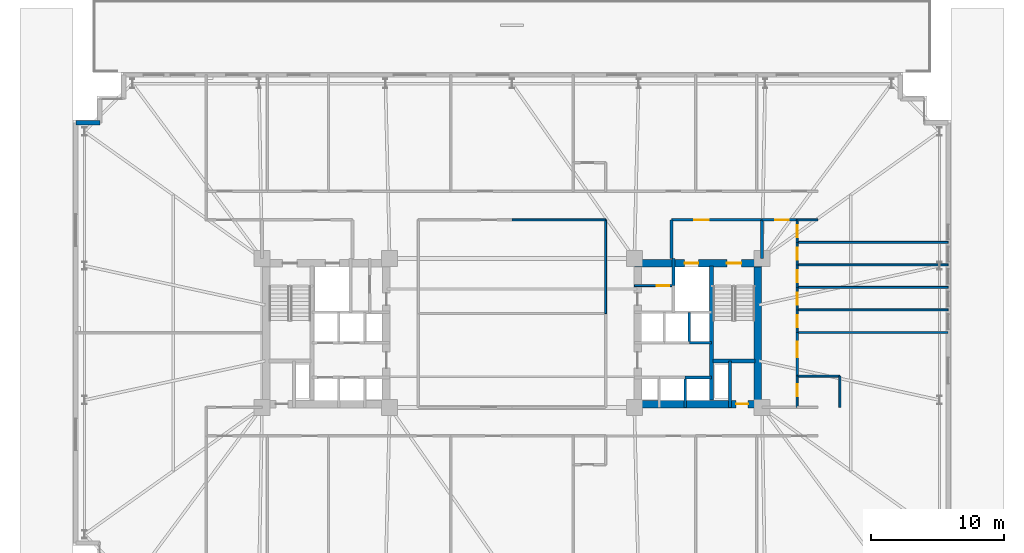
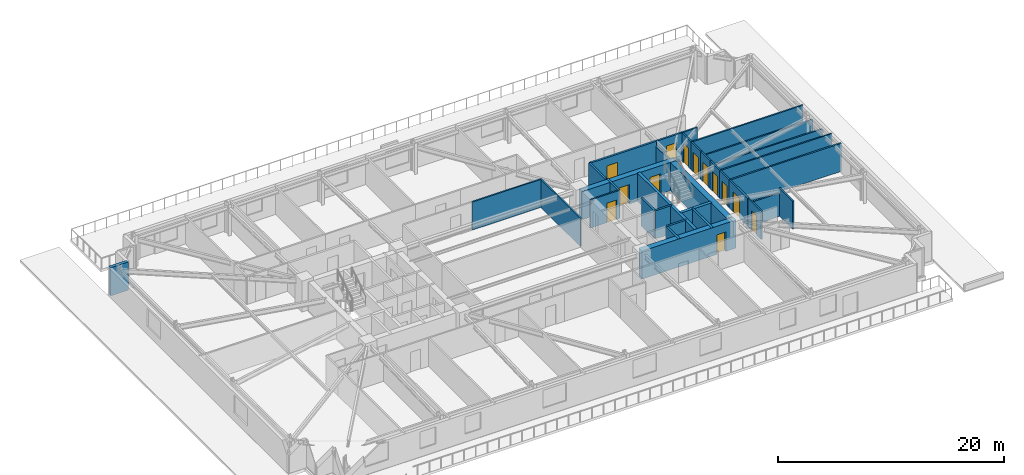
# One storey, part 14 of 21: 34 walls, 13 doors, 13 openings.
"""IFC4 building model written with IfcOpenShell, lengths in metres."""

from ifc_helpers import new_model, si_unit, direction, frame, frame_2d, origin, place, context, subcontext, project, spatial, rectangle, extrude, material, layer, layer_set, type_object, element, fill, save


model = new_model("IFC4")

# Units and contexts
model_context = context("Model", 3, precision=1e-05, world=origin(), true_north=direction((0.0, 1.0)))
body_context = subcontext(model_context, "Body", "Model", "MODEL_VIEW")
ifc_project = project(units=[si_unit("LENGTHUNIT", "METRE"), si_unit("AREAUNIT", "SQUARE_METRE"), si_unit("VOLUMEUNIT", "CUBIC_METRE"), si_unit("PLANEANGLEUNIT", "RADIAN"), si_unit("MASSUNIT", "GRAM", prefix="KILO")], contexts=[model_context])

# Site, building, storey
site_placement = place(None, origin())
site = spatial("IfcSite", under=ifc_project, at=site_placement, CompositionType="ELEMENT")
building_placement = place(site_placement, origin())
building = spatial("IfcBuilding", under=site, at=building_placement, Name="Qobustan Lattice House", CompositionType="ELEMENT")
storey_placement = place(building_placement, frame((0.0, 0.0, 27.0)))
storey = spatial("IfcBuildingStorey", under=building, at=storey_placement, Name="L06", CompositionType="ELEMENT", Elevation=27.0)

# Wall, openings, doors
ifc_material_1 = material(Name="Concrete C60/75", Category="concrete")
ifc_layer_1 = layer(ifc_material_1, 0.56005859375)
ifc_layer_set_1 = layer_set([ifc_layer_1], Name="Concrete C60/75")
wall_type_1 = type_object("IfcWallType", Name="WAL-CORE-600", PredefinedType="SHEAR", material=ifc_layer_set_1)
wall_1_placement = place(storey_placement, frame((9.199951171875, 5.239990234375, 0.0), z_axis=(0.0, 0.0, 1.0), x_axis=(1.0, 0.0, 0.0)))
wall_1 = element("IfcWall", 1, at=wall_1_placement, inside=storey, type_object=wall_type_1, Name="L06 split-core shear wall CE-N", PredefinedType="SHEAR", context=body_context, shape_type="SweptSolid", body=[
    extrude(rectangle(XDim=9.60009765625, YDim=0.56005859375, at=frame_2d((4.800048828125, 0.0))), origin(), (0.0, 0.0, 1.0), 3.034912109375),
])
opening_1_placement = place(wall_1_placement, frame((6.949951171875, 0.0, 0.0)))
opening_1 = element("IfcOpeningElement", 2, at=opening_1_placement, cuts=wall_1, Name="Opening SD-01", PredefinedType="OPENING", context=body_context, shape_type="SweptSolid", body=[
    extrude(rectangle(XDim=1.10009765625, YDim=2.14990234375, at=frame_2d((0.550048828125, 1.074951171875))), frame((0.0, 0.2900390625, 0.0), z_axis=(0.0, -1.0, 0.0), x_axis=(1.0, 0.0, 0.0)), (0.0, 0.0, 1.0), 0.580078125),
])
opening_2_placement = place(wall_1_placement, frame((3.77490234375, 0.0, 0.0)))
opening_2 = element("IfcOpeningElement", 3, at=opening_2_placement, cuts=wall_1, Name="Opening LD-01", PredefinedType="OPENING", context=body_context, shape_type="SweptSolid", body=[
    extrude(rectangle(XDim=1.050048828125, YDim=2.10009765625, at=frame_2d((0.52490234375, 1.050048828125))), frame((0.0, 0.2900390625, 0.0), z_axis=(0.0, -1.0, 0.0), x_axis=(1.0, 0.0, 0.0)), (0.0, 0.0, 1.0), 0.580078125),
])
ifc_material_2 = material(Name="Persian walnut timber and steel frame door", Category="steel")
door_type_1 = type_object("IfcDoorType", Name="DOR-LIFT-LD-1050x2100", OperationType="NOTDEFINED", PredefinedType="DOOR", material=ifc_material_2)
door_1_placement = place(opening_2_placement, origin())
door_1 = element("IfcDoor", 4, at=door_1_placement, inside=storey, type_object=door_type_1, Name="L06 firefighting lift FF-E landing door", OperationType="DOUBLE_DOOR_SLIDING", OverallHeight=2.10009765625, OverallWidth=1.050048828125, PredefinedType="DOOR", context=body_context, shape_type="SweptSolid", body=[
    extrude(rectangle(XDim=1.050048828125, YDim=2.10009765625, at=frame_2d((0.52490234375, 1.050048828125))), frame((0.0, 0.02490234375, 0.0), z_axis=(0.0, -1.0, 0.0), x_axis=(1.0, 0.0, 0.0)), (0.0, 0.0, 1.0), 0.050048828125),
])
fill(opening_2, door_1)
ifc_material_3 = material(Name="Persian walnut timber and steel frame door", Category="steel")
door_type_2 = type_object("IfcDoorType", Name="DOR-STAIR-FD-1100x2150", OperationType="NOTDEFINED", PredefinedType="DOOR", material=ifc_material_3)
door_2_placement = place(opening_1_placement, origin())
door_2 = element("IfcDoor", 5, at=door_2_placement, inside=storey, type_object=door_type_2, Name="L06 exit stair ST-E1 fire door", OperationType="SINGLE_SWING_LEFT", OverallHeight=2.14990234375, OverallWidth=1.10009765625, PredefinedType="DOOR", context=body_context, shape_type="SweptSolid", body=[
    extrude(rectangle(XDim=1.10009765625, YDim=2.14990234375, at=frame_2d((0.550048828125, 1.074951171875))), frame((0.0, 0.02490234375, 0.0), z_axis=(0.0, -1.0, 0.0), x_axis=(1.0, 0.0, 0.0)), (0.0, 0.0, 1.0), 0.050048828125),
])
fill(opening_1, door_2)

# Wall, opening, door
wall_2_placement = place(storey_placement, frame((9.199951171875, -5.35009765625, 0.0), z_axis=(0.0, 0.0, 1.0), x_axis=(1.0, 0.0, 0.0)))
wall_2 = element("IfcWall", 6, at=wall_2_placement, inside=storey, type_object=wall_type_1, Name="L06 split-core shear wall CE-S", PredefinedType="SHEAR", context=body_context, shape_type="SweptSolid", body=[
    extrude(rectangle(XDim=9.60009765625, YDim=0.56005859375, at=frame_2d((4.800048828125, 0.0))), origin(), (0.0, 0.0, 1.0), 3.034912109375),
])
opening_3_placement = place(wall_2_placement, frame((7.64990234375, 0.0, 0.0)))
opening_3 = element("IfcOpeningElement", 7, at=opening_3_placement, cuts=wall_2, Name="Opening RD-01", PredefinedType="OPENING", context=body_context, shape_type="SweptSolid", body=[
    extrude(rectangle(XDim=0.89990234375, YDim=2.10009765625, at=frame_2d((0.449951171875, 1.050048828125))), frame((0.0, 0.2900390625, 0.0), z_axis=(0.0, -1.0, 0.0), x_axis=(1.0, 0.0, 0.0)), (0.0, 0.0, 1.0), 0.580078125),
])
ifc_material_4 = material(Name="Persian walnut timber and steel frame door", Category="steel")
door_type_3 = type_object("IfcDoorType", Name="DOR-RISER-FD-900x2100", OperationType="NOTDEFINED", PredefinedType="DOOR", material=ifc_material_4)
door_3_placement = place(opening_3_placement, origin())
door_3 = element("IfcDoor", 8, at=door_3_placement, inside=storey, type_object=door_type_3, Name="L06 core service riser access door E", OperationType="SINGLE_SWING_LEFT", OverallHeight=2.10009765625, OverallWidth=0.89990234375, PredefinedType="DOOR", context=body_context, shape_type="SweptSolid", body=[
    extrude(rectangle(XDim=0.89990234375, YDim=2.10009765625, at=frame_2d((0.449951171875, 1.050048828125))), frame((0.0, 0.02490234375, 0.0), z_axis=(0.0, -1.0, 0.0), x_axis=(1.0, 0.0, 0.0)), (0.0, 0.0, 1.0), 0.050048828125),
])
fill(opening_3, door_3)

# Walls
wall_3_placement = place(storey_placement, frame((18.489990234375, -5.050048828125, 0.0), z_axis=(0.0, 0.0, 1.0), x_axis=(0.0, 1.0, 0.0)))
element("IfcWall", 9, at=wall_3_placement, inside=storey, type_object=wall_type_1, Name="L06 split-core shear wall CE-E", PredefinedType="SHEAR", context=body_context, shape_type="SweptSolid", body=[
    extrude(rectangle(XDim=10.10009765625, YDim=0.56005859375, at=frame_2d((5.050048828125, 0.0))), origin(), (0.0, 0.0, 1.0), 3.034912109375),
])
ifc_material_5 = material(Name="Concrete C50/60", Category="concrete")
ifc_layer_2 = layer(ifc_material_5, 0.280029296875)
ifc_layer_set_2 = layer_set([ifc_layer_2], Name="Concrete C50/60")
wall_type_2 = type_object("IfcWallType", Name="WAL-CORE-SPINE-280", PredefinedType="SHEAR", material=ifc_layer_set_2)
wall_4_placement = place(storey_placement, frame((15.02001953125, -5.050048828125, 0.0), z_axis=(0.0, 0.0, 1.0), x_axis=(0.0, 1.0, 0.0)))
element("IfcWall", 10, at=wall_4_placement, inside=storey, type_object=wall_type_2, Name="L06 split-core shear wall CE-M", PredefinedType="SHEAR", context=body_context, shape_type="SweptSolid", body=[
    extrude(rectangle(XDim=10.10009765625, YDim=0.300048828125, at=frame_2d((5.050048828125, 0.0))), origin(), (0.0, 0.0, 1.0), 3.034912109375),
])
wall_5_placement = place(storey_placement, frame((15.10009765625, -2.110107421875, 0.0), z_axis=(0.0, 0.0, 1.0), x_axis=(1.0, 0.0, 0.0)))
element("IfcWall", 11, at=wall_5_placement, inside=storey, type_object=wall_type_2, Name="L06 split-core shear wall CE-ST", PredefinedType="SHEAR", context=body_context, shape_type="SweptSolid", body=[
    extrude(rectangle(XDim=3.179931640625, YDim=0.300048828125, at=frame_2d((1.58984375, 0.0))), origin(), (0.0, 0.0, 1.0), 3.034912109375),
])
ifc_material_6 = material(Name="Precast concrete C40/50", Category="concrete")
ifc_layer_3 = layer(ifc_material_6, 0.320068359375)
ifc_layer_set_3 = layer_set([ifc_layer_3], Name="Precast concrete C40/50")
wall_type_3 = type_object("IfcWallType", Name="WAL-EXT-STONE-320", PredefinedType="SOLIDWALL", material=ifc_layer_set_3)
wall_6_placement = place(storey_placement, frame((-32.800048828125, 15.800048828125, 0.0), z_axis=(0.0, 0.0, 1.0), x_axis=(1.0, 0.0, 0.0)))
element("IfcWall", 12, at=wall_6_placement, inside=storey, type_object=wall_type_3, Name="L06 exterior limestone-clad wall 6", PredefinedType="SOLIDWALL", context=body_context, shape_type="SweptSolid", body=[
    extrude(rectangle(XDim=1.800048828125, YDim=0.320068359375, at=frame_2d((0.89990234375, 0.0))), origin(), (0.0, 0.0, 1.0), 3.034912109375),
])

# Wall, opening, door
ifc_material_7 = material(Name="Gypsum fireboard acoustic partition", Category="gypsum")
ifc_layer_4 = layer(ifc_material_7, 0.179931640625)
ifc_layer_set_4 = layer_set([ifc_layer_4], Name="Gypsum fireboard acoustic partition")
wall_type_4 = type_object("IfcWallType", Name="WAL-FIRE-180", PredefinedType="PARTITIONING", material=ifc_layer_set_4)
wall_7_placement = place(storey_placement, frame((21.449951171875, 8.5, 0.0), z_axis=(0.0, 0.0, 1.0), x_axis=(-1.0, 0.0, 0.0)))
wall_7 = element("IfcWall", 13, at=wall_7_placement, inside=storey, type_object=wall_type_4, Name="L06 interior partition 45", PredefinedType="PARTITIONING", context=body_context, shape_type="SweptSolid", body=[
    extrude(rectangle(XDim=2.64990234375, YDim=0.179931640625, at=frame_2d((1.324951171875, 0.0))), origin(), (0.0, 0.0, 1.0), 3.034912109375),
])
opening_4_placement = place(wall_7_placement, frame((0.64111328125, 0.0, 0.0)))
opening_4 = element("IfcOpeningElement", 14, at=opening_4_placement, cuts=wall_7, Name="Opening FD-02", PredefinedType="OPENING", context=body_context, shape_type="SweptSolid", body=[
    extrude(rectangle(XDim=1.0, YDim=2.14990234375, at=frame_2d((0.5, 1.074951171875))), frame((0.0, 0.099853515625, 0.0), z_axis=(0.0, -1.0, 0.0), x_axis=(1.0, 0.0, 0.0)), (0.0, 0.0, 1.0), 0.199951171875),
])
ifc_material_8 = material(Name="Persian walnut timber and steel frame door", Category="steel")
door_type_4 = type_object("IfcDoorType", Name="DOR-UNIT-FD-1000x2150", OperationType="NOTDEFINED", PredefinedType="DOOR", material=ifc_material_8)
door_4_placement = place(opening_4_placement, origin())
door_4 = element("IfcDoor", 15, at=door_4_placement, inside=storey, type_object=door_type_4, Name="L06 North-east floor corridor to Residence entrance hall L06E door", OperationType="SINGLE_SWING_RIGHT", OverallHeight=2.14990234375, OverallWidth=1.0, PredefinedType="DOOR", context=body_context, shape_type="SweptSolid", body=[
    extrude(rectangle(XDim=1.0, YDim=2.14990234375, at=frame_2d((0.5, 1.074951171875))), frame((0.0, 0.02490234375, 0.0), z_axis=(0.0, -1.0, 0.0), x_axis=(1.0, 0.0, 0.0)), (0.0, 0.0, 1.0), 0.050048828125),
])
fill(opening_4, door_4)

ifc_material_9 = material(Name="Acoustic twin-stud gypsum partition", Category="gypsum")
ifc_layer_5 = layer(ifc_material_9, 0.14990234375)
ifc_layer_set_5 = layer_set([ifc_layer_5], Name="Acoustic twin-stud gypsum partition")
wall_type_5 = type_object("IfcWallType", Name="WAL-PART-150", PredefinedType="PARTITIONING", material=ifc_layer_set_5)
wall_8_placement = place(storey_placement, frame((12.14990234375, 3.550048828125, 0.0), z_axis=(0.0, 0.0, 1.0), x_axis=(-1.0, 0.0, 0.0)))
wall_8 = element("IfcWall", 16, at=wall_8_placement, inside=storey, type_object=wall_type_5, Name="L06 interior partition 25", PredefinedType="PARTITIONING", context=body_context, shape_type="SweptSolid", body=[
    extrude(rectangle(XDim=2.949951171875, YDim=0.14990234375, at=frame_2d((1.47509765625, 0.0))), origin(), (0.0, 0.0, 1.0), 3.034912109375),
])
opening_5_placement = place(wall_8_placement, frame((0.324951171875, 0.0, 0.0)))
opening_5 = element("IfcOpeningElement", 17, at=opening_5_placement, cuts=wall_8, Name="Opening ID-01", PredefinedType="OPENING", context=body_context, shape_type="SweptSolid", body=[
    extrude(rectangle(XDim=0.949951171875, YDim=2.10009765625, at=frame_2d((0.47509765625, 1.050048828125))), frame((0.0, 0.0849609375, 0.0), z_axis=(0.0, -1.0, 0.0), x_axis=(1.0, 0.0, 0.0)), (0.0, 0.0, 1.0), 0.169921875),
])
ifc_material_10 = material(Name="Persian walnut timber and steel frame door", Category="steel")
door_type_5 = type_object("IfcDoorType", Name="DOR-ROOM-950x2100", OperationType="NOTDEFINED", PredefinedType="DOOR", material=ifc_material_10)
door_5_placement = place(opening_5_placement, origin())
door_5 = element("IfcDoor", 18, at=door_5_placement, inside=storey, type_object=door_type_5, Name="L06 Housekeeping utility foyer to Cleaner cupboard door", OperationType="SINGLE_SWING_LEFT", OverallHeight=2.10009765625, OverallWidth=0.949951171875, PredefinedType="DOOR", context=body_context, shape_type="SweptSolid", body=[
    extrude(rectangle(XDim=0.949951171875, YDim=2.10009765625, at=frame_2d((0.47509765625, 1.050048828125))), frame((0.0, 0.02490234375, 0.0), z_axis=(0.0, -1.0, 0.0), x_axis=(1.0, 0.0, 0.0)), (0.0, 0.0, 1.0), 0.050048828125),
])
fill(opening_5, door_5)

# Walls
wall_9_placement = place(storey_placement, frame((23.0, 8.5, 0.0), z_axis=(0.0, 0.0, 1.0), x_axis=(-1.0, 0.0, 0.0)))
element("IfcWall", 19, at=wall_9_placement, inside=storey, type_object=wall_type_5, Name="L06 interior partition 46", PredefinedType="PARTITIONING", context=body_context, shape_type="SweptSolid", body=[
    extrude(rectangle(XDim=1.550048828125, YDim=0.14990234375, at=frame_2d((0.77490234375, 0.0))), origin(), (0.0, 0.0, 1.0), 3.034912109375),
])
for number, where, z_axis, x_axis, name in (
    (20, (7.050048828125, 8.5, 0.0), (0.0, 0.0, 1.0), (-1.0, 0.0, 0.0), "L06 interior partition 52"),
    (21, (7.050048828125, 1.449951171875, 0.0), (0.0, 0.0, 1.0), (0.0, 1.0, 0.0), "L06 interior partition 71"),
):
    element("IfcWall", number, at=place(storey_placement, frame(where, z_axis=z_axis, x_axis=x_axis)), inside=storey, type_object=wall_type_5, Name=name, PredefinedType="PARTITIONING", context=body_context, shape_type="SweptSolid", body=[
        extrude(rectangle(XDim=7.050048828125, YDim=0.14990234375, at=frame_2d((3.52490234375, 0.0))), origin(), (0.0, 0.0, 1.0), 3.034912109375),
    ])

# Wall, opening, door
wall_10_placement = place(storey_placement, frame((21.449951171875, 1.73193359375, 0.0), z_axis=(0.0, 0.0, 1.0), x_axis=(0.0, -1.0, 0.0)))
wall_10 = element("IfcWall", 22, at=wall_10_placement, inside=storey, type_object=wall_type_5, Name="L06 interior partition 77", PredefinedType="PARTITIONING", context=body_context, shape_type="SweptSolid", body=[
    extrude(rectangle(XDim=1.69189453125, YDim=0.14990234375, at=frame_2d((0.845947265625, 0.0))), origin(), (0.0, 0.0, 1.0), 3.034912109375),
])
opening_6_placement = place(wall_10_placement, frame((0.39599609375, 0.0, 0.0)))
opening_6 = element("IfcOpeningElement", 23, at=opening_6_placement, cuts=wall_10, Name="Opening WD-01", PredefinedType="OPENING", context=body_context, shape_type="SweptSolid", body=[
    extrude(rectangle(XDim=0.89990234375, YDim=2.10009765625, at=frame_2d((0.449951171875, 1.050048828125))), frame((0.0, 0.0849609375, 0.0), z_axis=(0.0, -1.0, 0.0), x_axis=(1.0, 0.0, 0.0)), (0.0, 0.0, 1.0), 0.169921875),
])
ifc_material_11 = material(Name="Persian walnut timber and steel frame door", Category="steel")
door_type_6 = type_object("IfcDoorType", Name="DOR-WET-900x2100", OperationType="NOTDEFINED", PredefinedType="DOOR", material=ifc_material_11)
door_6_placement = place(opening_6_placement, origin())
door_6 = element("IfcDoor", 24, at=door_6_placement, inside=storey, type_object=door_type_6, Name="L06 Residence entrance hall L06E to Cluster bedroom L06E1 door", OperationType="SINGLE_SWING_LEFT", OverallHeight=2.10009765625, OverallWidth=0.89990234375, PredefinedType="DOOR", context=body_context, shape_type="SweptSolid", body=[
    extrude(rectangle(XDim=0.89990234375, YDim=2.10009765625, at=frame_2d((0.449951171875, 1.050048828125))), frame((0.0, 0.02490234375, 0.0), z_axis=(0.0, -1.0, 0.0), x_axis=(1.0, 0.0, 0.0)), (0.0, 0.0, 1.0), 0.050048828125),
])
fill(opening_6, door_6)

wall_11_placement = place(storey_placement, frame((21.449951171875, 3.424072265625, 0.0), z_axis=(0.0, 0.0, 1.0), x_axis=(0.0, -1.0, 0.0)))
wall_11 = element("IfcWall", 25, at=wall_11_placement, inside=storey, type_object=wall_type_5, Name="L06 interior partition 78", PredefinedType="PARTITIONING", context=body_context, shape_type="SweptSolid", body=[
    extrude(rectangle(XDim=1.692138671875, YDim=0.14990234375, at=frame_2d((0.84619140625, 0.0))), origin(), (0.0, 0.0, 1.0), 3.034912109375),
])
opening_7_placement = place(wall_11_placement, frame((0.39599609375, 0.0, 0.0)))
opening_7 = element("IfcOpeningElement", 26, at=opening_7_placement, cuts=wall_11, Name="Opening WD-01", PredefinedType="OPENING", context=body_context, shape_type="SweptSolid", body=[
    extrude(rectangle(XDim=0.89990234375, YDim=2.10009765625, at=frame_2d((0.449951171875, 1.050048828125))), frame((0.0, 0.0849609375, 0.0), z_axis=(0.0, -1.0, 0.0), x_axis=(1.0, 0.0, 0.0)), (0.0, 0.0, 1.0), 0.169921875),
])
door_7_placement = place(opening_7_placement, origin())
door_7 = element("IfcDoor", 27, at=door_7_placement, inside=storey, type_object=door_type_6, Name="L06 Residence entrance hall L06E to Cluster bedroom L06E2 door", OperationType="SINGLE_SWING_RIGHT", OverallHeight=2.10009765625, OverallWidth=0.89990234375, PredefinedType="DOOR", context=body_context, shape_type="SweptSolid", body=[
    extrude(rectangle(XDim=0.89990234375, YDim=2.10009765625, at=frame_2d((0.449951171875, 1.050048828125))), frame((0.0, 0.02490234375, 0.0), z_axis=(0.0, -1.0, 0.0), x_axis=(1.0, 0.0, 0.0)), (0.0, 0.0, 1.0), 0.050048828125),
])
fill(opening_7, door_7)

wall_12_placement = place(storey_placement, frame((21.449951171875, 5.115966796875, 0.0), z_axis=(0.0, 0.0, 1.0), x_axis=(0.0, -1.0, 0.0)))
wall_12 = element("IfcWall", 28, at=wall_12_placement, inside=storey, type_object=wall_type_5, Name="L06 interior partition 79", PredefinedType="PARTITIONING", context=body_context, shape_type="SweptSolid", body=[
    extrude(rectangle(XDim=1.69189453125, YDim=0.14990234375, at=frame_2d((0.845947265625, 0.0))), origin(), (0.0, 0.0, 1.0), 3.034912109375),
])
opening_8_placement = place(wall_12_placement, frame((0.39599609375, 0.0, 0.0)))
opening_8 = element("IfcOpeningElement", 29, at=opening_8_placement, cuts=wall_12, Name="Opening WD-01", PredefinedType="OPENING", context=body_context, shape_type="SweptSolid", body=[
    extrude(rectangle(XDim=0.89990234375, YDim=2.10009765625, at=frame_2d((0.449951171875, 1.050048828125))), frame((0.0, 0.0849609375, 0.0), z_axis=(0.0, -1.0, 0.0), x_axis=(1.0, 0.0, 0.0)), (0.0, 0.0, 1.0), 0.169921875),
])
door_8_placement = place(opening_8_placement, origin())
door_8 = element("IfcDoor", 30, at=door_8_placement, inside=storey, type_object=door_type_6, Name="L06 Residence entrance hall L06E to Cluster bedroom L06E3 door", OperationType="SINGLE_SWING_LEFT", OverallHeight=2.10009765625, OverallWidth=0.89990234375, PredefinedType="DOOR", context=body_context, shape_type="SweptSolid", body=[
    extrude(rectangle(XDim=0.89990234375, YDim=2.10009765625, at=frame_2d((0.449951171875, 1.050048828125))), frame((0.0, 0.02490234375, 0.0), z_axis=(0.0, -1.0, 0.0), x_axis=(1.0, 0.0, 0.0)), (0.0, 0.0, 1.0), 0.050048828125),
])
fill(opening_8, door_8)

wall_13_placement = place(storey_placement, frame((21.449951171875, 6.80810546875, 0.0), z_axis=(0.0, 0.0, 1.0), x_axis=(0.0, -1.0, 0.0)))
wall_13 = element("IfcWall", 31, at=wall_13_placement, inside=storey, type_object=wall_type_5, Name="L06 interior partition 80", PredefinedType="PARTITIONING", context=body_context, shape_type="SweptSolid", body=[
    extrude(rectangle(XDim=1.692138671875, YDim=0.14990234375, at=frame_2d((0.84619140625, 0.0))), origin(), (0.0, 0.0, 1.0), 3.034912109375),
])
opening_9_placement = place(wall_13_placement, frame((0.39599609375, 0.0, 0.0)))
opening_9 = element("IfcOpeningElement", 32, at=opening_9_placement, cuts=wall_13, Name="Opening WD-01", PredefinedType="OPENING", context=body_context, shape_type="SweptSolid", body=[
    extrude(rectangle(XDim=0.89990234375, YDim=2.10009765625, at=frame_2d((0.449951171875, 1.050048828125))), frame((0.0, 0.0849609375, 0.0), z_axis=(0.0, -1.0, 0.0), x_axis=(1.0, 0.0, 0.0)), (0.0, 0.0, 1.0), 0.169921875),
])
door_9_placement = place(opening_9_placement, origin())
door_9 = element("IfcDoor", 33, at=door_9_placement, inside=storey, type_object=door_type_6, Name="L06 Residence entrance hall L06E to Cluster bedroom L06E4 door", OperationType="SINGLE_SWING_RIGHT", OverallHeight=2.10009765625, OverallWidth=0.89990234375, PredefinedType="DOOR", context=body_context, shape_type="SweptSolid", body=[
    extrude(rectangle(XDim=0.89990234375, YDim=2.10009765625, at=frame_2d((0.449951171875, 1.050048828125))), frame((0.0, 0.02490234375, 0.0), z_axis=(0.0, -1.0, 0.0), x_axis=(1.0, 0.0, 0.0)), (0.0, 0.0, 1.0), 0.050048828125),
])
fill(opening_9, door_9)

wall_14_placement = place(storey_placement, frame((21.449951171875, 8.5, 0.0), z_axis=(0.0, 0.0, 1.0), x_axis=(0.0, -1.0, 0.0)))
wall_14 = element("IfcWall", 34, at=wall_14_placement, inside=storey, type_object=wall_type_5, Name="L06 interior partition 81", PredefinedType="PARTITIONING", context=body_context, shape_type="SweptSolid", body=[
    extrude(rectangle(XDim=1.69189453125, YDim=0.14990234375, at=frame_2d((0.845947265625, 0.0))), origin(), (0.0, 0.0, 1.0), 3.034912109375),
])
opening_10_placement = place(wall_14_placement, frame((0.39599609375, 0.0, 0.0)))
opening_10 = element("IfcOpeningElement", 35, at=opening_10_placement, cuts=wall_14, Name="Opening WD-01", PredefinedType="OPENING", context=body_context, shape_type="SweptSolid", body=[
    extrude(rectangle(XDim=0.89990234375, YDim=2.10009765625, at=frame_2d((0.449951171875, 1.050048828125))), frame((0.0, 0.0849609375, 0.0), z_axis=(0.0, -1.0, 0.0), x_axis=(1.0, 0.0, 0.0)), (0.0, 0.0, 1.0), 0.169921875),
])
door_10_placement = place(opening_10_placement, origin())
door_10 = element("IfcDoor", 36, at=door_10_placement, inside=storey, type_object=door_type_6, Name="L06 Residence entrance hall L06E to Cluster bedroom L06E5 door", OperationType="SINGLE_SWING_LEFT", OverallHeight=2.10009765625, OverallWidth=0.89990234375, PredefinedType="DOOR", context=body_context, shape_type="SweptSolid", body=[
    extrude(rectangle(XDim=0.89990234375, YDim=2.10009765625, at=frame_2d((0.449951171875, 1.050048828125))), frame((0.0, 0.02490234375, 0.0), z_axis=(0.0, -1.0, 0.0), x_axis=(1.0, 0.0, 0.0)), (0.0, 0.0, 1.0), 0.050048828125),
])
fill(opening_10, door_10)

# Walls
wall_15_placement = place(storey_placement, frame((21.449951171875, 1.73193359375, 0.0), z_axis=(0.0, 0.0, 1.0), x_axis=(1.0, 0.0, 0.0)))
element("IfcWall", 37, at=wall_15_placement, inside=storey, type_object=wall_type_5, Name="L06 interior partition 85", PredefinedType="PARTITIONING", context=body_context, shape_type="SweptSolid", body=[
    extrude(rectangle(XDim=11.35009765625, YDim=0.14990234375, at=frame_2d((5.675048828125, 0.0))), origin(), (0.0, 0.0, 1.0), 3.034912109375),
])
for number, where, z_axis, x_axis, name in (
    (38, (21.449951171875, 3.424072265625, 0.0), (0.0, 0.0, 1.0), (1.0, 0.0, 0.0), "L06 interior partition 86"),
    (39, (21.449951171875, 5.115966796875, 0.0), (0.0, 0.0, 1.0), (1.0, 0.0, 0.0), "L06 interior partition 87"),
):
    element("IfcWall", number, at=place(storey_placement, frame(where, z_axis=z_axis, x_axis=x_axis)), inside=storey, type_object=wall_type_5, Name=name, PredefinedType="PARTITIONING", context=body_context, shape_type="SweptSolid", body=[
        extrude(rectangle(XDim=11.35009765625, YDim=0.14990234375, at=frame_2d((5.675048828125, 0.0))), origin(), (0.0, 0.0, 1.0), 2.52001953125),
    ])
wall_16_placement = place(storey_placement, frame((21.449951171875, 6.80810546875, 0.0), z_axis=(0.0, 0.0, 1.0), x_axis=(1.0, 0.0, 0.0)))
element("IfcWall", 40, at=wall_16_placement, inside=storey, type_object=wall_type_5, Name="L06 interior partition 88", PredefinedType="PARTITIONING", context=body_context, shape_type="SweptSolid", body=[
    extrude(rectangle(XDim=11.35009765625, YDim=0.14990234375, at=frame_2d((5.675048828125, 0.0))), origin(), (0.0, 0.0, 1.0), 3.034912109375),
])

# Wall, opening, door
ifc_material_12 = material(Name="High-mass acoustic twin-stud partition", Category="gypsum")
ifc_layer_6 = layer(ifc_material_12, 0.1650390625)
ifc_layer_set_6 = layer_set([ifc_layer_6], Name="High-mass acoustic twin-stud partition")
wall_type_6 = type_object("IfcWallType", Name="WAL-PART-165", PredefinedType="PARTITIONING", material=ifc_layer_set_6)
wall_17_placement = place(storey_placement, frame((21.449951171875, 0.0400390625, 0.0), z_axis=(0.0, 0.0, 1.0), x_axis=(0.0, -1.0, 0.0)))
wall_17 = element("IfcWall", 41, at=wall_17_placement, inside=storey, type_object=wall_type_6, Name="L06 interior partition 76", PredefinedType="PARTITIONING", context=body_context, shape_type="SweptSolid", body=[
    extrude(rectangle(XDim=3.2900390625, YDim=0.1650390625, at=frame_2d((1.64501953125, 0.0))), origin(), (0.0, 0.0, 1.0), 3.034912109375),
])
opening_11_placement = place(wall_17_placement, frame((0.702392578125, 0.0, 0.0)))
opening_11 = element("IfcOpeningElement", 42, at=opening_11_placement, cuts=wall_17, Name="Opening ID-03", PredefinedType="OPENING", context=body_context, shape_type="SweptSolid", body=[
    extrude(rectangle(XDim=1.14990234375, YDim=2.14990234375, at=frame_2d((0.574951171875, 1.074951171875))), frame((0.0, 0.092529296875, 0.0), z_axis=(0.0, -1.0, 0.0), x_axis=(1.0, 0.0, 0.0)), (0.0, 0.0, 1.0), 0.18505859375),
])
ifc_material_13 = material(Name="Persian walnut timber and steel frame door", Category="steel")
door_type_7 = type_object("IfcDoorType", Name="DOR-KITCH-1150x2150", OperationType="NOTDEFINED", PredefinedType="DOOR", material=ifc_material_13)
door_11_placement = place(opening_11_placement, origin())
door_11 = element("IfcDoor", 43, at=door_11_placement, inside=storey, type_object=door_type_7, Name="L06 Residence entrance hall L06E to Shared kitchen L06E door", OperationType="SINGLE_SWING_RIGHT", OverallHeight=2.14990234375, OverallWidth=1.14990234375, PredefinedType="DOOR", context=body_context, shape_type="SweptSolid", body=[
    extrude(rectangle(XDim=1.14990234375, YDim=2.14990234375, at=frame_2d((0.574951171875, 1.074951171875))), frame((0.0, 0.02490234375, 0.0), z_axis=(0.0, -1.0, 0.0), x_axis=(1.0, 0.0, 0.0)), (0.0, 0.0, 1.0), 0.050048828125),
])
fill(opening_11, door_11)

# Wall
wall_18_placement = place(storey_placement, frame((21.449951171875, 0.0400390625, 0.0), z_axis=(0.0, 0.0, 1.0), x_axis=(1.0, 0.0, 0.0)))
element("IfcWall", 44, at=wall_18_placement, inside=storey, type_object=wall_type_6, Name="L06 interior partition 84", PredefinedType="PARTITIONING", context=body_context, shape_type="SweptSolid", body=[
    extrude(rectangle(XDim=11.35009765625, YDim=0.1650390625, at=frame_2d((5.675048828125, 0.0))), origin(), (0.0, 0.0, 1.0), 3.034912109375),
])

# Wall, opening, door
ifc_material_14 = material(Name="Two-hour gypsum fireboard acoustic partition", Category="gypsum")
ifc_layer_7 = layer(ifc_material_14, 0.199951171875)
ifc_layer_set_7 = layer_set([ifc_layer_7], Name="Two-hour gypsum fireboard acoustic partition")
wall_type_7 = type_object("IfcWallType", Name="WAL-PROT-200", PredefinedType="PARTITIONING", material=ifc_layer_set_7)
wall_19_placement = place(storey_placement, frame((18.800048828125, 8.5, 0.0), z_axis=(0.0, 0.0, 1.0), x_axis=(-1.0, 0.0, 0.0)))
wall_19 = element("IfcWall", 45, at=wall_19_placement, inside=storey, type_object=wall_type_7, Name="L06 interior partition 22", PredefinedType="PARTITIONING", context=body_context, shape_type="SweptSolid", body=[
    extrude(rectangle(XDim=6.800048828125, YDim=0.199951171875, at=frame_2d((3.39990234375, 0.0))), origin(), (0.0, 0.0, 1.0), 3.034912109375),
])
opening_12_placement = place(wall_19_placement, frame((3.985107421875, 0.0, 0.0)))
opening_12 = element("IfcOpeningElement", 46, at=opening_12_placement, cuts=wall_19, Name="Opening SD-01", PredefinedType="OPENING", context=body_context, shape_type="SweptSolid", body=[
    extrude(rectangle(XDim=1.10009765625, YDim=2.14990234375, at=frame_2d((0.550048828125, 1.074951171875))), frame((0.0, 0.10986328125, 0.0), z_axis=(0.0, -1.0, 0.0), x_axis=(1.0, 0.0, 0.0)), (0.0, 0.0, 1.0), 0.219970703125),
])
door_12_placement = place(opening_12_placement, origin())
door_12 = element("IfcDoor", 47, at=door_12_placement, inside=storey, type_object=door_type_2, Name="L06 East firefighting lift lobby to North-east floor corridor door", OperationType="SINGLE_SWING_RIGHT", OverallHeight=2.14990234375, OverallWidth=1.10009765625, PredefinedType="DOOR", context=body_context, shape_type="SweptSolid", body=[
    extrude(rectangle(XDim=1.10009765625, YDim=2.14990234375, at=frame_2d((0.550048828125, 1.074951171875))), frame((0.0, 0.02490234375, 0.0), z_axis=(0.0, -1.0, 0.0), x_axis=(1.0, 0.0, 0.0)), (0.0, 0.0, 1.0), 0.050048828125),
])
fill(opening_12, door_12)

# Walls
wall_20_placement = place(storey_placement, frame((12.0, 8.5, 0.0), z_axis=(0.0, 0.0, 1.0), x_axis=(0.0, -1.0, 0.0)))
element("IfcWall", 48, at=wall_20_placement, inside=storey, type_object=wall_type_7, Name="L06 interior partition 23", PredefinedType="PARTITIONING", context=body_context, shape_type="SweptSolid", body=[
    extrude(rectangle(XDim=2.89990234375, YDim=0.199951171875, at=frame_2d((1.449951171875, 0.0))), origin(), (0.0, 0.0, 1.0), 3.034912109375),
])
wall_21_placement = place(storey_placement, frame((18.800048828125, 5.60009765625, 0.0), z_axis=(0.0, 0.0, 1.0), x_axis=(0.0, 1.0, 0.0)))
element("IfcWall", 49, at=wall_21_placement, inside=storey, type_object=wall_type_7, Name="L06 interior partition 24", PredefinedType="PARTITIONING", context=body_context, shape_type="SweptSolid", body=[
    extrude(rectangle(XDim=2.89990234375, YDim=0.199951171875, at=frame_2d((1.449951171875, 0.0))), origin(), (0.0, 0.0, 1.0), 2.52001953125),
])
ifc_material_15 = material(Name="Concrete C40/50", Category="concrete")
ifc_layer_8 = layer(ifc_material_15, 0.199951171875)
ifc_layer_set_8 = layer_set([ifc_layer_8], Name="Concrete C40/50")
wall_type_8 = type_object("IfcWallType", Name="WAL-SHAFT-200", PredefinedType="PARTITIONING", material=ifc_layer_set_8)
wall_22_placement = place(storey_placement, frame((16.39990234375, -2.110107421875, 0.0), z_axis=(0.0, 0.0, 1.0), x_axis=(0.0, -1.0, 0.0)))
element("IfcWall", 50, at=wall_22_placement, inside=storey, type_object=wall_type_8, Name="L06 interior partition 19", PredefinedType="PARTITIONING", context=body_context, shape_type="SweptSolid", body=[
    extrude(rectangle(XDim=3.489990234375, YDim=0.199951171875, at=frame_2d((1.7451171875, 0.0))), origin(), (0.0, 0.0, 1.0), 3.034912109375),
])
wall_23_placement = place(storey_placement, frame((12.14990234375, 5.60009765625, 0.0), z_axis=(0.0, 0.0, 1.0), x_axis=(0.0, -1.0, 0.0)))
element("IfcWall", 51, at=wall_23_placement, inside=storey, type_object=wall_type_8, Name="L06 interior partition 21", PredefinedType="PARTITIONING", context=body_context, shape_type="SweptSolid", body=[
    extrude(rectangle(XDim=2.050048828125, YDim=0.199951171875, at=frame_2d((1.02490234375, 0.0))), origin(), (0.0, 0.0, 1.0), 3.034912109375),
])
wall_24_placement = place(storey_placement, frame((13.02001953125, -3.35009765625, 0.0), z_axis=(0.0, 0.0, 1.0), x_axis=(1.0, 0.0, 0.0)))
element("IfcWall", 52, at=wall_24_placement, inside=storey, type_object=wall_type_8, Name="L06 interior partition 29", PredefinedType="PARTITIONING", context=body_context, shape_type="SweptSolid", body=[
    extrude(rectangle(XDim=2.0, YDim=0.199951171875, at=frame_2d((1.0, 0.0))), origin(), (0.0, 0.0, 1.0), 3.034912109375),
])
wall_25_placement = place(storey_placement, frame((15.02001953125, -0.75, 0.0), z_axis=(0.0, 0.0, 1.0), x_axis=(-1.0, 0.0, 0.0)))
element("IfcWall", 53, at=wall_25_placement, inside=storey, type_object=wall_type_8, Name="L06 interior partition 32", PredefinedType="PARTITIONING", context=body_context, shape_type="SweptSolid", body=[
    extrude(rectangle(XDim=1.679931640625, YDim=0.199951171875, at=frame_2d((0.83984375, 0.0))), origin(), (0.0, 0.0, 1.0), 3.034912109375),
])
wall_26_placement = place(storey_placement, frame((13.02001953125, -5.60009765625, 0.0), z_axis=(0.0, 0.0, 1.0), x_axis=(0.0, 1.0, 0.0)))
element("IfcWall", 54, at=wall_26_placement, inside=storey, type_object=wall_type_8, Name="L06 interior partition 35", PredefinedType="PARTITIONING", context=body_context, shape_type="SweptSolid", body=[
    extrude(rectangle(XDim=2.25, YDim=0.199951171875, at=frame_2d((1.125, 0.0))), origin(), (0.0, 0.0, 1.0), 3.034912109375),
])
wall_27_placement = place(storey_placement, frame((13.340087890625, -0.75, 0.0), z_axis=(0.0, 0.0, 1.0), x_axis=(0.0, 1.0, 0.0)))
element("IfcWall", 55, at=wall_27_placement, inside=storey, type_object=wall_type_8, Name="L06 interior partition 37", PredefinedType="PARTITIONING", context=body_context, shape_type="SweptSolid", body=[
    extrude(rectangle(XDim=2.300048828125, YDim=0.199951171875, at=frame_2d((1.14990234375, 0.0))), origin(), (0.0, 0.0, 1.0), 3.034912109375),
])

# Wall, opening, door
ifc_material_16 = material(Name="Moisture-resistant acoustic plumbing wall", Category="gypsum")
ifc_layer_9 = layer(ifc_material_16, 0.14990234375)
ifc_layer_set_9 = layer_set([ifc_layer_9], Name="Moisture-resistant acoustic plumbing wall")
wall_type_9 = type_object("IfcWallType", Name="WAL-WET-150", PredefinedType="PLUMBINGWALL", material=ifc_layer_set_9)
wall_28_placement = place(storey_placement, frame((21.449951171875, -3.25, 0.0), z_axis=(0.0, 0.0, 1.0), x_axis=(0.0, -1.0, 0.0)))
wall_28 = element("IfcWall", 56, at=wall_28_placement, inside=storey, type_object=wall_type_9, Name="L06 interior partition 75", PredefinedType="PLUMBINGWALL", context=body_context, shape_type="SweptSolid", body=[
    extrude(rectangle(XDim=2.35009765625, YDim=0.14990234375, at=frame_2d((1.175048828125, 0.0))), origin(), (0.0, 0.0, 1.0), 3.034912109375),
])
opening_13_placement = place(wall_28_placement, frame((0.6162109375, 0.0, 0.0)))
opening_13 = element("IfcOpeningElement", 57, at=opening_13_placement, cuts=wall_28, Name="Opening WD-01", PredefinedType="OPENING", context=body_context, shape_type="SweptSolid", body=[
    extrude(rectangle(XDim=0.89990234375, YDim=2.10009765625, at=frame_2d((0.449951171875, 1.050048828125))), frame((0.0, 0.0849609375, 0.0), z_axis=(0.0, -1.0, 0.0), x_axis=(1.0, 0.0, 0.0)), (0.0, 0.0, 1.0), 0.169921875),
])
door_13_placement = place(opening_13_placement, origin())
door_13 = element("IfcDoor", 58, at=door_13_placement, inside=storey, type_object=door_type_6, Name="L06 Residence entrance hall L06E to Shared bathroom L06E door", OperationType="SINGLE_SWING_LEFT", OverallHeight=2.10009765625, OverallWidth=0.89990234375, PredefinedType="DOOR", context=body_context, shape_type="SweptSolid", body=[
    extrude(rectangle(XDim=0.89990234375, YDim=2.10009765625, at=frame_2d((0.449951171875, 1.050048828125))), frame((0.0, 0.02490234375, 0.0), z_axis=(0.0, -1.0, 0.0), x_axis=(1.0, 0.0, 0.0)), (0.0, 0.0, 1.0), 0.050048828125),
])
fill(opening_13, door_13)

# Walls
wall_29_placement = place(storey_placement, frame((21.449951171875, -3.25, 0.0), z_axis=(0.0, 0.0, 1.0), x_axis=(1.0, 0.0, 0.0)))
element("IfcWall", 59, at=wall_29_placement, inside=storey, type_object=wall_type_9, Name="L06 interior partition 82", PredefinedType="PLUMBINGWALL", context=body_context, shape_type="SweptSolid", body=[
    extrude(rectangle(XDim=3.199951171875, YDim=0.14990234375, at=frame_2d((1.60009765625, 0.0))), origin(), (0.0, 0.0, 1.0), 2.52001953125),
])
wall_30_placement = place(storey_placement, frame((24.64990234375, -3.25, 0.0), z_axis=(0.0, 0.0, 1.0), x_axis=(0.0, -1.0, 0.0)))
element("IfcWall", 60, at=wall_30_placement, inside=storey, type_object=wall_type_9, Name="L06 interior partition 83", PredefinedType="PLUMBINGWALL", context=body_context, shape_type="SweptSolid", body=[
    extrude(rectangle(XDim=2.35009765625, YDim=0.14990234375, at=frame_2d((1.175048828125, 0.0))), origin(), (0.0, 0.0, 1.0), 3.034912109375),
])

save(model, "model.ifc")
